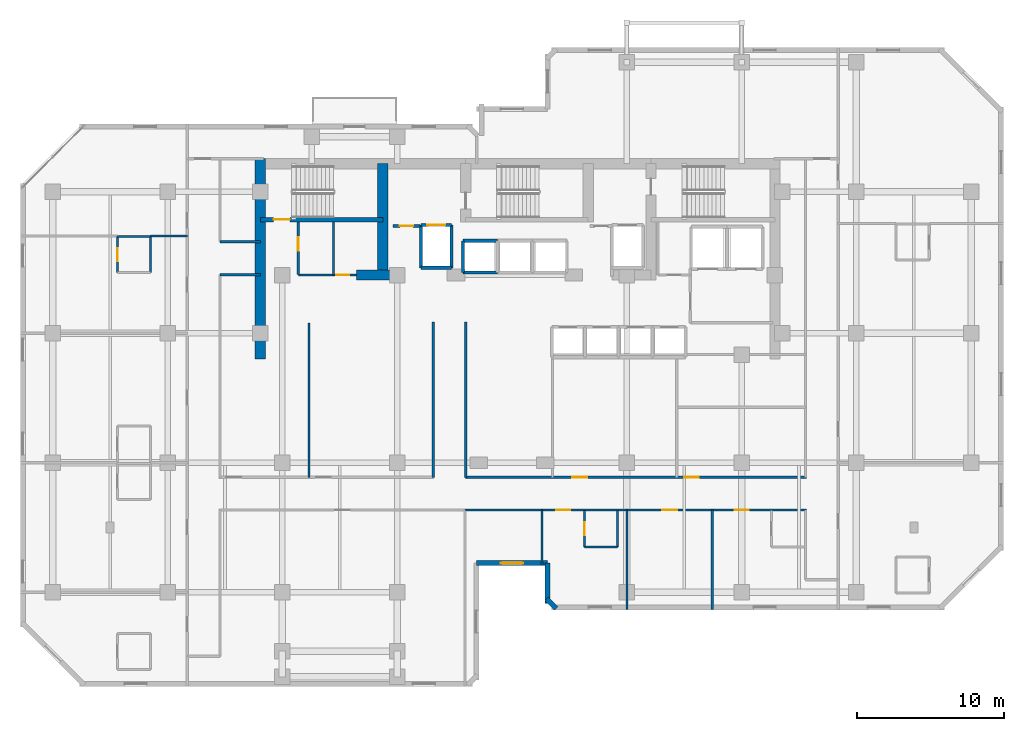
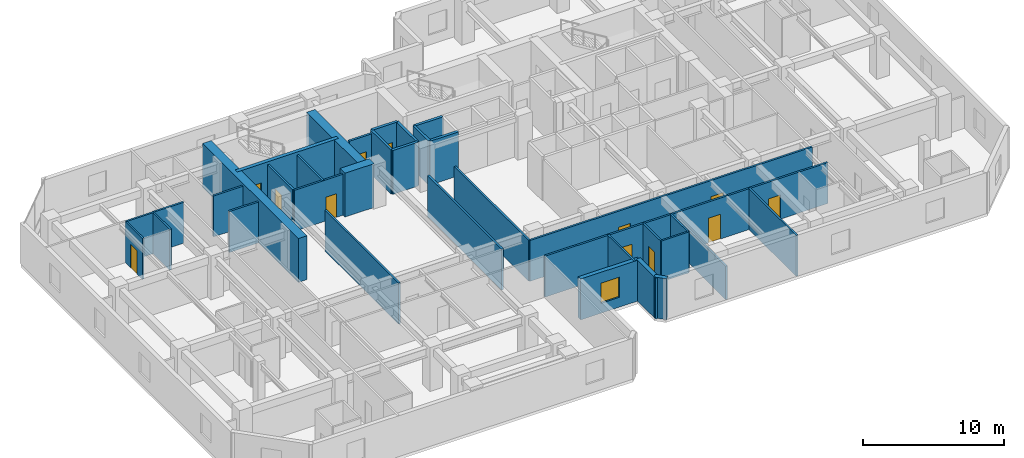
# One storey, part 5 of 9: 35 walls, 12 doors, 1 window, 13 openings.
"""IFC4 building model written with IfcOpenShell, lengths in metres."""

from ifc_helpers import new_model, si_unit, direction, frame, frame_2d, origin, place, context, subcontext, project, spatial, rectangle, extrude, material, layer, layer_set, type_object, element, fill, save


model = new_model("IFC4")

# Units and contexts
model_context = context("Model", 3, precision=1e-05, world=origin(), true_north=direction((0.0, 1.0)))
body_context = subcontext(model_context, "Body", "Model", "MODEL_VIEW")
ifc_project = project(units=[si_unit("LENGTHUNIT", "METRE"), si_unit("AREAUNIT", "SQUARE_METRE"), si_unit("VOLUMEUNIT", "CUBIC_METRE"), si_unit("PLANEANGLEUNIT", "RADIAN"), si_unit("MASSUNIT", "GRAM", prefix="KILO")], contexts=[model_context])

# Site, building, storey
site_placement = place(None, origin())
site = spatial("IfcSite", under=ifc_project, at=site_placement, CompositionType="ELEMENT")
building_placement = place(site_placement, origin())
building = spatial("IfcBuilding", under=site, at=building_placement, Name="Kestravale Grand Hotel", CompositionType="ELEMENT")
storey_placement = place(building_placement, frame((0.0, 0.0, 146.0)))
storey = spatial("IfcBuildingStorey", under=building, at=storey_placement, Name="L36", CompositionType="ELEMENT", Elevation=146.0)

# Walls
ifc_material_1 = material(Name="Concrete f'c 60 MPa", Category="concrete")
ifc_layer_1 = layer(ifc_material_1, 0.699951171875)
ifc_layer_set_1 = layer_set([ifc_layer_1], Name="EW-CORE-700")
wall_type_1 = type_object("IfcWallType", Name="EW-CORE-700", PredefinedType="SHEAR", material=ifc_layer_set_1)
wall_1_placement = place(storey_placement, frame((21.89990234375, 27.050048828125, 0.0), z_axis=(0.0, 0.0, 1.0), x_axis=(0.0, 1.0, 0.0)))
element("IfcWall", 1, at=wall_1_placement, inside=storey, type_object=wall_type_1, Name="L36 core shear wall W1", PredefinedType="SHEAR", context=body_context, shape_type="SweptSolid", body=[
    extrude(rectangle(XDim=13.619873046875, YDim=0.699951171875, at=frame_2d((6.81005859375, 0.0))), origin(), (0.0, 0.0, 1.0), 3.800048828125),
])
wall_2_placement = place(storey_placement, frame((28.449951171875, 32.75, 0.0), z_axis=(0.0, 0.0, 1.0), x_axis=(1.0, 0.0, 0.0)))
element("IfcWall", 2, at=wall_2_placement, inside=storey, type_object=wall_type_1, Name="L36 core shear wall S1", PredefinedType="SHEAR", context=body_context, shape_type="SweptSolid", body=[
    extrude(rectangle(XDim=2.400146484375, YDim=0.699951171875, at=frame_2d((1.2001953125, 0.0))), origin(), (0.0, 0.0, 1.0), 3.800048828125),
])
wall_3_placement = place(storey_placement, frame((30.219970703125, 33.10009765625, 0.0), z_axis=(0.0, 0.0, 1.0), x_axis=(0.0, 1.0, 0.0)))
element("IfcWall", 3, at=wall_3_placement, inside=storey, type_object=wall_type_1, Name="L36 core shear wall X1", PredefinedType="SHEAR", context=body_context, shape_type="SweptSolid", body=[
    extrude(rectangle(XDim=7.219970703125, YDim=0.699951171875, at=frame_2d((3.60986328125, 0.0))), origin(), (0.0, 0.0, 1.0), 3.800048828125),
])

# Wall, opening, window
ifc_material_2 = material(Name="Precast concrete f'c 45 MPa", Category="concrete")
ifc_layer_2 = layer(ifc_material_2, 0.340087890625)
ifc_layer_set_2 = layer_set([ifc_layer_2], Name="EW-PREC-340")
wall_type_2 = type_object("IfcWallType", Name="EW-PREC-340", PredefinedType="SOLIDWALL", material=ifc_layer_set_2)
wall_4_placement = place(storey_placement, frame((36.580078125, 13.169921875, 0.0), z_axis=(0.0, 0.0, 1.0), x_axis=(1.0, 0.0, 0.0)))
wall_4 = element("IfcWall", 4, at=wall_4_placement, inside=storey, type_object=wall_type_2, Name="L36 fluted precast facade wall 4", PredefinedType="SOLIDWALL", context=body_context, shape_type="SweptSolid", body=[
    extrude(rectangle(XDim=4.83984375, YDim=0.340087890625, at=frame_2d((2.419921875, 0.0))), origin(), (0.0, 0.0, 1.0), 3.550048828125),
])
opening_1_placement = place(wall_4_placement, frame((1.669921875, 0.0, 0.85009765625)))
opening_1 = element("IfcOpeningElement", 5, at=opening_1_placement, cuts=wall_4, Name="Opening W-GUEST-1500", PredefinedType="OPENING", context=body_context, shape_type="SweptSolid", body=[
    extrude(rectangle(XDim=1.5, YDim=1.75, at=frame_2d((0.75, 0.875))), frame((0.0, 0.179931640625, 0.0), z_axis=(0.0, -1.0, 0.0), x_axis=(1.0, 0.0, 0.0)), (0.0, 0.0, 1.0), 0.360107421875),
])
ifc_material_3 = material(Name="Insulated low-E double glazing in aluminium frame", Category="aluminium")
window_type = type_object("IfcWindowType", Name="W-GUEST-1500", PartitioningType="SINGLE_PANEL", PredefinedType="WINDOW", material=ifc_material_3)
window_placement = place(opening_1_placement, origin())
window = element("IfcWindow", 6, at=window_placement, inside=storey, type_object=window_type, Name="L36 exterior window 4.1", OverallHeight=1.75, OverallWidth=1.5, PartitioningType="SINGLE_PANEL", PredefinedType="WINDOW", context=body_context, shape_type="SweptSolid", body=[
    extrude(rectangle(XDim=1.5, YDim=1.75, at=frame_2d((0.75, 0.875))), frame((0.0, 0.030029296875, 0.0), z_axis=(0.0, -1.0, 0.0), x_axis=(1.0, 0.0, 0.0)), (0.0, 0.0, 1.0), 0.06005859375),
])
fill(opening_1, window)

# Walls
wall_5_placement = place(storey_placement, frame((41.419921875, 13.169921875, 0.0), z_axis=(0.0, 0.0, 1.0), x_axis=(0.0, -1.0, 0.0)))
element("IfcWall", 7, at=wall_5_placement, inside=storey, type_object=wall_type_2, Name="L36 fluted precast facade wall 5", PredefinedType="SOLIDWALL", context=body_context, shape_type="SweptSolid", body=[
    extrude(rectangle(XDim=2.739990234375, YDim=0.340087890625, at=frame_2d((1.3701171875, 0.0))), origin(), (0.0, 0.0, 1.0), 3.550048828125),
])
wall_6_placement = place(storey_placement, frame((41.341796875, 10.74853515625, 0.0), z_axis=(0.0, 0.0, 1.0), x_axis=(0.707106781187, -0.707106781187, 0.0)))
element("IfcWall", 8, at=wall_6_placement, inside=storey, type_object=wall_type_2, Name="L36 fluted precast facade wall 6", PredefinedType="SOLIDWALL", context=body_context, shape_type="SweptSolid", body=[
    extrude(rectangle(XDim=0.9287109375, YDim=0.340087890625, at=frame_2d((0.46435546875, 0.0))), origin(), (0.0, 0.0, 1.0), 3.550048828125),
])

# Wall, opening, door
ifc_material_4 = material(Name="Concrete f'c 45 MPa", Category="concrete")
ifc_layer_3 = layer(ifc_material_4, 0.300048828125)
ifc_layer_set_3 = layer_set([ifc_layer_3], Name="EW-STAIR-300")
wall_type_3 = type_object("IfcWallType", Name="EW-STAIR-300", PredefinedType="SHEAR", material=ifc_layer_set_3)
wall_7_placement = place(storey_placement, frame((21.89990234375, 36.52001953125, 0.0), z_axis=(0.0, 0.0, 1.0), x_axis=(1.0, 0.0, 0.0)))
wall_7 = element("IfcWall", 9, at=wall_7_placement, inside=storey, type_object=wall_type_3, Name="L36 stair enclosure shear wall SST1", PredefinedType="SHEAR", context=body_context, shape_type="SweptSolid", body=[
    extrude(rectangle(XDim=8.320068359375, YDim=0.300048828125, at=frame_2d((4.16015625, 0.0))), origin(), (0.0, 0.0, 1.0), 3.800048828125),
])
opening_2_placement = place(wall_7_placement, frame((0.89990234375, 0.0, 0.0)))
opening_2 = element("IfcOpeningElement", 10, at=opening_2_placement, cuts=wall_7, Name="Opening D-ST-1100", PredefinedType="OPENING", context=body_context, shape_type="SweptSolid", body=[
    extrude(rectangle(XDim=1.10009765625, YDim=2.14990234375, at=frame_2d((0.550048828125, 1.074951171875))), frame((0.0, 0.159912109375, 0.0), z_axis=(0.0, -1.0, 0.0), x_axis=(1.0, 0.0, 0.0)), (0.0, 0.0, 1.0), 0.320068359375),
])
ifc_material_5 = material(Name="Galvanised 90-minute fire-rated steel stair door", Category="steel")
door_type_1 = type_object("IfcDoorType", Name="D-ST-1100", OperationType="NOTDEFINED", PredefinedType="DOOR", material=ifc_material_5)
door_1_placement = place(opening_2_placement, origin())
door_1 = element("IfcDoor", 11, at=door_1_placement, inside=storey, type_object=door_type_1, Name="L36 Stair ST-1 fire door", OperationType="SINGLE_SWING_RIGHT", OverallHeight=2.14990234375, OverallWidth=1.10009765625, PredefinedType="DOOR", context=body_context, shape_type="SweptSolid", body=[
    extrude(rectangle(XDim=1.10009765625, YDim=2.14990234375, at=frame_2d((0.550048828125, 1.074951171875))), frame((0.0, 0.02490234375, 0.0), z_axis=(0.0, -1.0, 0.0), x_axis=(1.0, 0.0, 0.0)), (0.0, 0.0, 1.0), 0.050048828125),
])
fill(opening_2, door_1)

ifc_material_6 = material(Name="Acoustic fire-rated gypsum board partition", Category="other")
ifc_layer_4 = layer(ifc_material_6, 0.159912109375)
ifc_layer_set_4 = layer_set([ifc_layer_4], Name="IW-CORR-160")
wall_type_4 = type_object("IfcWallType", Name="IW-CORR-160", PredefinedType="PARTITIONING", material=ifc_layer_set_4)
wall_8_placement = place(storey_placement, frame((24.47998046875, 32.800048828125, 0.0), z_axis=(0.0, 0.0, 1.0), x_axis=(0.0, 1.0, 0.0)))
wall_8 = element("IfcWall", 12, at=wall_8_placement, inside=storey, type_object=wall_type_4, Name="L36 west core vestibule wall", PredefinedType="PARTITIONING", context=body_context, shape_type="SweptSolid", body=[
    extrude(rectangle(XDim=3.570068359375, YDim=0.159912109375, at=frame_2d((1.78515625, 0.0))), origin(), (0.0, 0.0, 1.0), 3.550048828125),
])
opening_3_placement = place(wall_8_placement, frame((1.603515625, 0.0, 0.0)))
opening_3 = element("IfcOpeningElement", 13, at=opening_3_placement, cuts=wall_8, Name="Opening D-SH-900", PredefinedType="OPENING", context=body_context, shape_type="SweptSolid", body=[
    extrude(rectangle(XDim=0.89990234375, YDim=2.10009765625, at=frame_2d((0.449951171875, 1.050048828125))), frame((0.0, 0.08984375, 0.0), z_axis=(0.0, -1.0, 0.0), x_axis=(1.0, 0.0, 0.0)), (0.0, 0.0, 1.0), 0.179931640625),
])
ifc_material_7 = material(Name="Galvanised 90-minute shaft and service fire door", Category="steel")
door_type_2 = type_object("IfcDoorType", Name="D-SH-900", OperationType="NOTDEFINED", PredefinedType="DOOR", material=ifc_material_7)
door_2_placement = place(opening_3_placement, origin())
door_2 = element("IfcDoor", 14, at=door_2_placement, inside=storey, type_object=door_type_2, Name="D-L36-HK", OperationType="SINGLE_SWING_RIGHT", OverallHeight=2.10009765625, OverallWidth=0.89990234375, PredefinedType="DOOR", context=body_context, shape_type="SweptSolid", body=[
    extrude(rectangle(XDim=0.89990234375, YDim=2.10009765625, at=frame_2d((0.449951171875, 1.050048828125))), frame((0.0, 0.02490234375, 0.0), z_axis=(0.0, -1.0, 0.0), x_axis=(1.0, 0.0, 0.0)), (0.0, 0.0, 1.0), 0.050048828125),
])
fill(opening_3, door_2)

wall_9_placement = place(storey_placement, frame((24.47998046875, 32.75, 0.0), z_axis=(0.0, 0.0, 1.0), x_axis=(1.0, 0.0, 0.0)))
wall_9 = element("IfcWall", 15, at=wall_9_placement, inside=storey, type_object=wall_type_4, Name="W-L36-CWS", PredefinedType="PARTITIONING", context=body_context, shape_type="SweptSolid", body=[
    extrude(rectangle(XDim=3.969970703125, YDim=0.159912109375, at=frame_2d((1.98486328125, 0.0))), origin(), (0.0, 0.0, 1.0), 3.550048828125),
])
opening_4_placement = place(wall_9_placement, frame((2.574951171875, 0.0, 0.0)))
opening_4 = element("IfcOpeningElement", 16, at=opening_4_placement, cuts=wall_9, Name="Opening D-BATH-880", PredefinedType="OPENING", context=body_context, shape_type="SweptSolid", body=[
    extrude(rectangle(XDim=0.8798828125, YDim=2.050048828125, at=frame_2d((0.43994140625, 1.02490234375))), frame((0.0, 0.08984375, 0.0), z_axis=(0.0, -1.0, 0.0), x_axis=(1.0, 0.0, 0.0)), (0.0, 0.0, 1.0), 0.179931640625),
])
ifc_material_8 = material(Name="Moisture-sealed walnut en-suite bathroom door", Category="wood")
door_type_3 = type_object("IfcDoorType", Name="D-BATH-880", OperationType="NOTDEFINED", PredefinedType="DOOR", material=ifc_material_8)
door_3_placement = place(opening_4_placement, origin())
door_3 = element("IfcDoor", 17, at=door_3_placement, inside=storey, type_object=door_type_3, Name="D-L36-SWC", OperationType="SINGLE_SWING_RIGHT", OverallHeight=2.050048828125, OverallWidth=0.8798828125, PredefinedType="DOOR", context=body_context, shape_type="SweptSolid", body=[
    extrude(rectangle(XDim=0.8798828125, YDim=2.050048828125, at=frame_2d((0.43994140625, 1.02490234375))), frame((0.0, 0.02490234375, 0.0), z_axis=(0.0, -1.0, 0.0), x_axis=(1.0, 0.0, 0.0)), (0.0, 0.0, 1.0), 0.050048828125),
])
fill(opening_4, door_3)

# Wall, openings, doors
wall_10_placement = place(storey_placement, frame((35.85009765625, 19.010009765625, 0.0), z_axis=(0.0, 0.0, 1.0), x_axis=(1.0, 0.0, 0.0)))
wall_10 = element("IfcWall", 18, at=wall_10_placement, inside=storey, type_object=wall_type_4, Name="W-L36-CE-N", PredefinedType="PARTITIONING", context=body_context, shape_type="SweptSolid", body=[
    extrude(rectangle(XDim=23.14990234375, YDim=0.159912109375, at=frame_2d((11.574951171875, 0.0))), origin(), (0.0, 0.0, 1.0), 3.550048828125),
])
opening_5_placement = place(wall_10_placement, frame((7.25, 0.0, 0.0)))
opening_5 = element("IfcOpeningElement", 19, at=opening_5_placement, cuts=wall_10, Name="Opening D-GUEST-1000", PredefinedType="OPENING", context=body_context, shape_type="SweptSolid", body=[
    extrude(rectangle(XDim=1.0, YDim=2.14990234375, at=frame_2d((0.5, 1.074951171875))), frame((0.0, 0.08984375, 0.0), z_axis=(0.0, -1.0, 0.0), x_axis=(1.0, 0.0, 0.0)), (0.0, 0.0, 1.0), 0.179931640625),
])
opening_6_placement = place(wall_10_placement, frame((14.85009765625, 0.0, 0.0)))
opening_6 = element("IfcOpeningElement", 20, at=opening_6_placement, cuts=wall_10, Name="Opening D-GUEST-1000", PredefinedType="OPENING", context=body_context, shape_type="SweptSolid", body=[
    extrude(rectangle(XDim=1.0, YDim=2.14990234375, at=frame_2d((0.5, 1.074951171875))), frame((0.0, 0.08984375, 0.0), z_axis=(0.0, -1.0, 0.0), x_axis=(1.0, 0.0, 0.0)), (0.0, 0.0, 1.0), 0.179931640625),
])
ifc_material_9 = material(Name="Accessible walnut veneer hotel entrance fire door", Category="wood")
door_type_4 = type_object("IfcDoorType", Name="D-GUEST-1000", OperationType="NOTDEFINED", PredefinedType="DOOR", material=ifc_material_9)
door_4_placement = place(opening_5_placement, origin())
door_4 = element("IfcDoor", 21, at=door_4_placement, inside=storey, type_object=door_type_4, Name="D-L36-RECL-E1", OperationType="SINGLE_SWING_LEFT", OverallHeight=2.14990234375, OverallWidth=1.0, PredefinedType="DOOR", context=body_context, shape_type="SweptSolid", body=[
    extrude(rectangle(XDim=1.0, YDim=2.14990234375, at=frame_2d((0.5, 1.074951171875))), frame((0.0, 0.02490234375, 0.0), z_axis=(0.0, -1.0, 0.0), x_axis=(1.0, 0.0, 0.0)), (0.0, 0.0, 1.0), 0.050048828125),
])
fill(opening_5, door_4)
door_5_placement = place(opening_6_placement, origin())
door_5 = element("IfcDoor", 22, at=door_5_placement, inside=storey, type_object=door_type_4, Name="D-L36-RECL-E2", OperationType="SINGLE_SWING_RIGHT", OverallHeight=2.14990234375, OverallWidth=1.0, PredefinedType="DOOR", context=body_context, shape_type="SweptSolid", body=[
    extrude(rectangle(XDim=1.0, YDim=2.14990234375, at=frame_2d((0.5, 1.074951171875))), frame((0.0, 0.02490234375, 0.0), z_axis=(0.0, -1.0, 0.0), x_axis=(1.0, 0.0, 0.0)), (0.0, 0.0, 1.0), 0.050048828125),
])
fill(opening_6, door_5)

# Walls
for number, where, z_axis, x_axis, name in (
    (23, (33.64990234375, 19.010009765625, 0.0), (0.0, 0.0, 1.0), (0.0, 1.0, 0.0), "W-L36-TRUNK-W"),
    (24, (35.85009765625, 19.010009765625, 0.0), (0.0, 0.0, 1.0), (0.0, 1.0, 0.0), "W-L36-TRUNK-E"),
):
    element("IfcWall", number, at=place(storey_placement, frame(where, z_axis=z_axis, x_axis=x_axis)), inside=storey, type_object=wall_type_4, Name=name, PredefinedType="PARTITIONING", context=body_context, shape_type="SweptSolid", body=[
        extrude(rectangle(XDim=10.5400390625, YDim=0.159912109375, at=frame_2d((5.27001953125, 0.0))), origin(), (0.0, 0.0, 1.0), 3.550048828125),
    ])

# Wall, openings, doors
wall_11_placement = place(storey_placement, frame((35.800048828125, 16.7900390625, 0.0), z_axis=(0.0, 0.0, 1.0), x_axis=(1.0, 0.0, 0.0)))
wall_11 = element("IfcWall", 25, at=wall_11_placement, inside=storey, type_object=wall_type_4, Name="W-L36-CE-S", PredefinedType="PARTITIONING", context=body_context, shape_type="SweptSolid", body=[
    extrude(rectangle(XDim=23.199951171875, YDim=0.159912109375, at=frame_2d((11.60009765625, 0.0))), origin(), (0.0, 0.0, 1.0), 3.550048828125),
])
opening_7_placement = place(wall_11_placement, frame((6.202392578125, 0.0, 0.0)))
opening_7 = element("IfcOpeningElement", 26, at=opening_7_placement, cuts=wall_11, Name="Opening D-GUEST-950", PredefinedType="OPENING", context=body_context, shape_type="SweptSolid", body=[
    extrude(rectangle(XDim=0.949951171875, YDim=2.10009765625, at=frame_2d((0.47509765625, 1.050048828125))), frame((0.0, 0.08984375, 0.0), z_axis=(0.0, -1.0, 0.0), x_axis=(1.0, 0.0, 0.0)), (0.0, 0.0, 1.0), 0.179931640625),
])
opening_8_placement = place(wall_11_placement, frame((13.41259765625, 0.0, 0.0)))
opening_8 = element("IfcOpeningElement", 27, at=opening_8_placement, cuts=wall_11, Name="Opening D-GUEST-1000", PredefinedType="OPENING", context=body_context, shape_type="SweptSolid", body=[
    extrude(rectangle(XDim=1.0, YDim=2.14990234375, at=frame_2d((0.5, 1.074951171875))), frame((0.0, 0.08984375, 0.0), z_axis=(0.0, -1.0, 0.0), x_axis=(1.0, 0.0, 0.0)), (0.0, 0.0, 1.0), 0.179931640625),
])
opening_9_placement = place(wall_11_placement, frame((18.342529296875, 0.0, 0.0)))
opening_9 = element("IfcOpeningElement", 28, at=opening_9_placement, cuts=wall_11, Name="Opening D-GUEST-950", PredefinedType="OPENING", context=body_context, shape_type="SweptSolid", body=[
    extrude(rectangle(XDim=0.949951171875, YDim=2.10009765625, at=frame_2d((0.47509765625, 1.050048828125))), frame((0.0, 0.08984375, 0.0), z_axis=(0.0, -1.0, 0.0), x_axis=(1.0, 0.0, 0.0)), (0.0, 0.0, 1.0), 0.179931640625),
])
door_6_placement = place(opening_8_placement, origin())
door_6 = element("IfcDoor", 29, at=door_6_placement, inside=storey, type_object=door_type_4, Name="D-L36-AME", OperationType="SINGLE_SWING_RIGHT", OverallHeight=2.14990234375, OverallWidth=1.0, PredefinedType="DOOR", context=body_context, shape_type="SweptSolid", body=[
    extrude(rectangle(XDim=1.0, YDim=2.14990234375, at=frame_2d((0.5, 1.074951171875))), frame((0.0, 0.02490234375, 0.0), z_axis=(0.0, -1.0, 0.0), x_axis=(1.0, 0.0, 0.0)), (0.0, 0.0, 1.0), 0.050048828125),
])
fill(opening_8, door_6)
ifc_material_10 = material(Name="Walnut veneer hotel guestroom entrance fire door", Category="wood")
door_type_5 = type_object("IfcDoorType", Name="D-GUEST-950", OperationType="NOTDEFINED", PredefinedType="DOOR", material=ifc_material_10)
door_7_placement = place(opening_7_placement, origin())
door_7 = element("IfcDoor", 30, at=door_7_placement, inside=storey, type_object=door_type_5, Name="D-L36-U01-ENT", OperationType="SINGLE_SWING_LEFT", OverallHeight=2.10009765625, OverallWidth=0.949951171875, PredefinedType="DOOR", context=body_context, shape_type="SweptSolid", body=[
    extrude(rectangle(XDim=0.949951171875, YDim=2.10009765625, at=frame_2d((0.47509765625, 1.050048828125))), frame((0.0, 0.02490234375, 0.0), z_axis=(0.0, -1.0, 0.0), x_axis=(1.0, 0.0, 0.0)), (0.0, 0.0, 1.0), 0.050048828125),
])
fill(opening_7, door_7)
door_8_placement = place(opening_9_placement, origin())
door_8 = element("IfcDoor", 31, at=door_8_placement, inside=storey, type_object=door_type_5, Name="D-L36-U02-ENT", OperationType="SINGLE_SWING_RIGHT", OverallHeight=2.10009765625, OverallWidth=0.949951171875, PredefinedType="DOOR", context=body_context, shape_type="SweptSolid", body=[
    extrude(rectangle(XDim=0.949951171875, YDim=2.10009765625, at=frame_2d((0.47509765625, 1.050048828125))), frame((0.0, 0.02490234375, 0.0), z_axis=(0.0, -1.0, 0.0), x_axis=(1.0, 0.0, 0.0)), (0.0, 0.0, 1.0), 0.050048828125),
])
fill(opening_9, door_8)

# Walls
for number, where, z_axis, x_axis, name in (
    (32, (19.159912109375, 35.02001953125, 0.0), (0.0, 0.0, 1.0), (1.0, 0.0, 0.0), "W-L36-SW-CN"),
    (33, (19.159912109375, 32.780029296875, 0.0), (0.0, 0.0, 1.0), (1.0, 0.0, 0.0), "W-L36-SW-CS"),
):
    element("IfcWall", number, at=place(storey_placement, frame(where, z_axis=z_axis, x_axis=x_axis)), inside=storey, type_object=wall_type_4, Name=name, PredefinedType="PARTITIONING", context=body_context, shape_type="SweptSolid", body=[
        extrude(rectangle(XDim=2.739990234375, YDim=0.159912109375, at=frame_2d((1.3701171875, 0.0))), origin(), (0.0, 0.0, 1.0), 3.550048828125),
    ])

# Wall, opening, door
ifc_material_11 = material(Name="Fire-rated gypsum board on steel studs with mineral wool", Category="steel")
ifc_layer_5 = layer(ifc_material_11, 0.179931640625)
ifc_layer_set_5 = layer_set([ifc_layer_5], Name="IW-FSAE-180")
wall_type_5 = type_object("IfcWallType", Name="IW-FSAE-180", PredefinedType="PARTITIONING", material=ifc_layer_set_5)
wall_12_placement = place(storey_placement, frame((30.89990234375, 36.080078125, 0.0), z_axis=(0.0, 0.0, 1.0), x_axis=(1.0, 0.0, 0.0)))
wall_12 = element("IfcWall", 34, at=wall_12_placement, inside=storey, type_object=wall_type_5, Name="L36 FSAE Lobby 1 smoke barrier", PredefinedType="PARTITIONING", context=body_context, shape_type="SweptSolid", body=[
    extrude(rectangle(XDim=1.85009765625, YDim=0.179931640625, at=frame_2d((0.925048828125, 0.0))), origin(), (0.0, 0.0, 1.0), 3.550048828125),
])
opening_10_placement = place(wall_12_placement, frame((0.47998046875, 0.0, 0.0)))
opening_10 = element("IfcOpeningElement", 35, at=opening_10_placement, cuts=wall_12, Name="Opening D-FSAE-1000", PredefinedType="OPENING", context=body_context, shape_type="SweptSolid", body=[
    extrude(rectangle(XDim=0.89990234375, YDim=2.14990234375, at=frame_2d((0.449951171875, 1.074951171875))), frame((0.0, 0.099853515625, 0.0), z_axis=(0.0, -1.0, 0.0), x_axis=(1.0, 0.0, 0.0)), (0.0, 0.0, 1.0), 0.199951171875),
])
ifc_material_12 = material(Name="Smoke-gasketed FSAE lobby fire door", Category="steel")
door_type_6 = type_object("IfcDoorType", Name="D-FSAE-1000", OperationType="NOTDEFINED", PredefinedType="DOOR", material=ifc_material_12)
door_9_placement = place(opening_10_placement, origin())
door_9 = element("IfcDoor", 36, at=door_9_placement, inside=storey, type_object=door_type_6, Name="L36 FSAE Lobby 1 fire door", OperationType="SINGLE_SWING_RIGHT", OverallHeight=2.14990234375, OverallWidth=0.89990234375, PredefinedType="DOOR", context=body_context, shape_type="SweptSolid", body=[
    extrude(rectangle(XDim=0.89990234375, YDim=2.14990234375, at=frame_2d((0.449951171875, 1.074951171875))), frame((0.0, 0.02490234375, 0.0), z_axis=(0.0, -1.0, 0.0), x_axis=(1.0, 0.0, 0.0)), (0.0, 0.0, 1.0), 0.050048828125),
])
fill(opening_10, door_9)

ifc_material_13 = material(Name="Moisture-resistant tile-backer plumbing chase wall", Category="other")
ifc_layer_6 = layer(ifc_material_13, 0.139892578125)
ifc_layer_set_6 = layer_set([ifc_layer_6], Name="IW-PLB-140")
wall_type_6 = type_object("IfcWallType", Name="IW-PLB-140", PredefinedType="PLUMBINGWALL", material=ifc_layer_set_6)
wall_13_placement = place(storey_placement, frame((43.919921875, 14.280029296875, 0.0), z_axis=(0.0, 0.0, 1.0), x_axis=(0.0, 1.0, 0.0)))
wall_13 = element("IfcWall", 37, at=wall_13_placement, inside=storey, type_object=wall_type_6, Name="W-L36-U01-BW", PredefinedType="PLUMBINGWALL", context=body_context, shape_type="SweptSolid", body=[
    extrude(rectangle(XDim=2.489990234375, YDim=0.139892578125, at=frame_2d((1.2451171875, 0.0))), origin(), (0.0, 0.0, 1.0), 3.550048828125),
])
opening_11_placement = place(wall_13_placement, frame((0.804931640625, 0.0, 0.0)))
opening_11 = element("IfcOpeningElement", 38, at=opening_11_placement, cuts=wall_13, Name="Opening D-BATH-880", PredefinedType="OPENING", context=body_context, shape_type="SweptSolid", body=[
    extrude(rectangle(XDim=0.8798828125, YDim=2.050048828125, at=frame_2d((0.43994140625, 1.02490234375))), frame((0.0, 0.079833984375, 0.0), z_axis=(0.0, -1.0, 0.0), x_axis=(1.0, 0.0, 0.0)), (0.0, 0.0, 1.0), 0.159912109375),
])
door_10_placement = place(opening_11_placement, origin())
door_10 = element("IfcDoor", 39, at=door_10_placement, inside=storey, type_object=door_type_3, Name="D-L36-U01-BATH", OperationType="SINGLE_SWING_RIGHT", OverallHeight=2.050048828125, OverallWidth=0.8798828125, PredefinedType="DOOR", context=body_context, shape_type="SweptSolid", body=[
    extrude(rectangle(XDim=0.8798828125, YDim=2.050048828125, at=frame_2d((0.43994140625, 1.02490234375))), frame((0.0, 0.02490234375, 0.0), z_axis=(0.0, -1.0, 0.0), x_axis=(1.0, 0.0, 0.0)), (0.0, 0.0, 1.0), 0.050048828125),
])
fill(opening_11, door_10)

# Walls
wall_14_placement = place(storey_placement, frame((46.169921875, 14.280029296875, 0.0), z_axis=(0.0, 0.0, 1.0), x_axis=(0.0, 1.0, 0.0)))
element("IfcWall", 40, at=wall_14_placement, inside=storey, type_object=wall_type_6, Name="W-L36-U01-BE", PredefinedType="PLUMBINGWALL", context=body_context, shape_type="SweptSolid", body=[
    extrude(rectangle(XDim=2.489990234375, YDim=0.139892578125, at=frame_2d((1.2451171875, 0.0))), origin(), (0.0, 0.0, 1.0), 3.550048828125),
])
wall_15_placement = place(storey_placement, frame((43.919921875, 14.280029296875, 0.0), z_axis=(0.0, 0.0, 1.0), x_axis=(1.0, 0.0, 0.0)))
element("IfcWall", 41, at=wall_15_placement, inside=storey, type_object=wall_type_6, Name="W-L36-U01-BS", PredefinedType="PLUMBINGWALL", context=body_context, shape_type="SweptSolid", body=[
    extrude(rectangle(XDim=2.25, YDim=0.139892578125, at=frame_2d((1.125, 0.0))), origin(), (0.0, 0.0, 1.0), 3.550048828125),
])

# Wall, opening, door
wall_16_placement = place(storey_placement, frame((12.199951171875, 32.909912109375, 0.0), z_axis=(0.0, 0.0, 1.0), x_axis=(0.0, 1.0, 0.0)))
wall_16 = element("IfcWall", 42, at=wall_16_placement, inside=storey, type_object=wall_type_6, Name="W-L36-U06-BW", PredefinedType="PLUMBINGWALL", context=body_context, shape_type="SweptSolid", body=[
    extrude(rectangle(XDim=2.4501953125, YDim=0.139892578125, at=frame_2d((1.22509765625, 0.0))), origin(), (0.0, 0.0, 1.0), 3.550048828125),
])
opening_12_placement = place(wall_16_placement, frame((0.784912109375, 0.0, 0.0)))
opening_12 = element("IfcOpeningElement", 43, at=opening_12_placement, cuts=wall_16, Name="Opening D-BATH-880", PredefinedType="OPENING", context=body_context, shape_type="SweptSolid", body=[
    extrude(rectangle(XDim=0.8798828125, YDim=2.050048828125, at=frame_2d((0.43994140625, 1.02490234375))), frame((0.0, 0.079833984375, 0.0), z_axis=(0.0, -1.0, 0.0), x_axis=(1.0, 0.0, 0.0)), (0.0, 0.0, 1.0), 0.159912109375),
])
door_11_placement = place(opening_12_placement, origin())
door_11 = element("IfcDoor", 44, at=door_11_placement, inside=storey, type_object=door_type_3, Name="D-L36-U06-BATH", OperationType="SINGLE_SWING_LEFT", OverallHeight=2.050048828125, OverallWidth=0.8798828125, PredefinedType="DOOR", context=body_context, shape_type="SweptSolid", body=[
    extrude(rectangle(XDim=0.8798828125, YDim=2.050048828125, at=frame_2d((0.43994140625, 1.02490234375))), frame((0.0, 0.02490234375, 0.0), z_axis=(0.0, -1.0, 0.0), x_axis=(1.0, 0.0, 0.0)), (0.0, 0.0, 1.0), 0.050048828125),
])
fill(opening_12, door_11)

# Walls
wall_17_placement = place(storey_placement, frame((14.449951171875, 32.909912109375, 0.0), z_axis=(0.0, 0.0, 1.0), x_axis=(0.0, 1.0, 0.0)))
element("IfcWall", 45, at=wall_17_placement, inside=storey, type_object=wall_type_6, Name="W-L36-U06-BE", PredefinedType="PLUMBINGWALL", context=body_context, shape_type="SweptSolid", body=[
    extrude(rectangle(XDim=2.4501953125, YDim=0.139892578125, at=frame_2d((1.22509765625, 0.0))), origin(), (0.0, 0.0, 1.0), 3.550048828125),
])
wall_18_placement = place(storey_placement, frame((12.199951171875, 35.360107421875, 0.0), z_axis=(0.0, 0.0, 1.0), x_axis=(1.0, 0.0, 0.0)))
element("IfcWall", 46, at=wall_18_placement, inside=storey, type_object=wall_type_6, Name="W-L36-U06-BN", PredefinedType="PLUMBINGWALL", context=body_context, shape_type="SweptSolid", body=[
    extrude(rectangle(XDim=2.25, YDim=0.139892578125, at=frame_2d((1.125, 0.0))), origin(), (0.0, 0.0, 1.0), 3.550048828125),
])
ifc_material_14 = material(Name="Concrete f'c 45 MPa", Category="concrete")
ifc_layer_7 = layer(ifc_material_14, 0.199951171875)
ifc_layer_set_7 = layer_set([ifc_layer_7], Name="IW-SHAFT-200")
wall_type_7 = type_object("IfcWallType", Name="IW-SHAFT-200", PredefinedType="SHEAR", material=ifc_layer_set_7)
wall_19_placement = place(storey_placement, frame((35.679931640625, 32.919921875, 0.0), z_axis=(0.0, 0.0, 1.0), x_axis=(0.0, 1.0, 0.0)))
element("IfcWall", 47, at=wall_19_placement, inside=storey, type_object=wall_type_7, Name="L36 PL-X1 west shaft wall", PredefinedType="SHEAR", context=body_context, shape_type="SweptSolid", body=[
    extrude(rectangle(XDim=2.16015625, YDim=0.199951171875, at=frame_2d((1.080078125, 0.0))), origin(), (0.0, 0.0, 1.0), 3.800048828125),
])
for number, where, z_axis, x_axis, name in (
    (48, (32.804931640625, 33.2451171875, 0.0), (0.0, 0.0, 1.0), (0.0, 1.0, 0.0), "L36 FL-1 west shaft wall"),
    (49, (34.89501953125, 33.2451171875, 0.0), (0.0, 0.0, 1.0), (0.0, 1.0, 0.0), "L36 FL-1 east shaft wall"),
):
    element("IfcWall", number, at=place(storey_placement, frame(where, z_axis=z_axis, x_axis=x_axis)), inside=storey, type_object=wall_type_7, Name=name, PredefinedType="SHEAR", context=body_context, shape_type="SweptSolid", body=[
        extrude(rectangle(XDim=2.909912109375, YDim=0.199951171875, at=frame_2d((1.455078125, 0.0))), origin(), (0.0, 0.0, 1.0), 3.800048828125),
    ])
ifc_material_15 = material(Name="Concrete f'c 45 MPa", Category="concrete")
ifc_layer_8 = layer(ifc_material_15, 0.219970703125)
ifc_layer_set_8 = layer_set([ifc_layer_8], Name="IW-SHAFT-220")
wall_type_8 = type_object("IfcWallType", Name="IW-SHAFT-220", PredefinedType="SHEAR", material=ifc_layer_set_8)
for number, where, z_axis, x_axis, name in (
    (50, (35.679931640625, 35.080078125, 0.0), (0.0, 0.0, 1.0), (1.0, 0.0, 0.0), "L36 PL-X1 north shaft wall"),
    (51, (35.679931640625, 32.919921875, 0.0), (0.0, 0.0, 1.0), (1.0, 0.0, 0.0), "L36 PL-X1 south shaft wall"),
):
    element("IfcWall", number, at=place(storey_placement, frame(where, z_axis=z_axis, x_axis=x_axis)), inside=storey, type_object=wall_type_8, Name=name, PredefinedType="SHEAR", context=body_context, shape_type="SweptSolid", body=[
        extrude(rectangle(XDim=2.320068359375, YDim=0.219970703125, at=frame_2d((1.16015625, 0.0))), origin(), (0.0, 0.0, 1.0), 3.800048828125),
    ])

# Wall, opening, door
wall_20_placement = place(storey_placement, frame((32.804931640625, 36.155029296875, 0.0), z_axis=(0.0, 0.0, 1.0), x_axis=(1.0, 0.0, 0.0)))
wall_20 = element("IfcWall", 52, at=wall_20_placement, inside=storey, type_object=wall_type_8, Name="L36 FL-1 north shaft wall", PredefinedType="SHEAR", context=body_context, shape_type="SweptSolid", body=[
    extrude(rectangle(XDim=2.090087890625, YDim=0.219970703125, at=frame_2d((1.044921875, 0.0))), origin(), (0.0, 0.0, 1.0), 3.800048828125),
])
opening_13_placement = place(wall_20_placement, frame((0.445068359375, 0.0, 0.0)))
opening_13 = element("IfcOpeningElement", 53, at=opening_13_placement, cuts=wall_20, Name="Opening LD-FSAE-1200", PredefinedType="OPENING", context=body_context, shape_type="SweptSolid", body=[
    extrude(rectangle(XDim=1.199951171875, YDim=2.14990234375, at=frame_2d((0.60009765625, 1.074951171875))), frame((0.0, 0.119873046875, 0.0), z_axis=(0.0, -1.0, 0.0), x_axis=(1.0, 0.0, 0.0)), (0.0, 0.0, 1.0), 0.239990234375),
])
ifc_material_16 = material(Name="Stainless fire-service sliding elevator landing door", Category="steel")
door_type_7 = type_object("IfcDoorType", Name="LD-FSAE-1200", OperationType="NOTDEFINED", PredefinedType="DOOR", material=ifc_material_16)
door_12_placement = place(opening_13_placement, origin())
door_12 = element("IfcDoor", 54, at=door_12_placement, inside=storey, type_object=door_type_7, Name="L36 FL-1 elevator landing sliding door", OperationType="DOUBLE_DOOR_SLIDING", OverallHeight=2.14990234375, OverallWidth=1.199951171875, PredefinedType="DOOR", context=body_context, shape_type="SweptSolid", body=[
    extrude(rectangle(XDim=1.199951171875, YDim=2.14990234375, at=frame_2d((0.60009765625, 1.074951171875))), frame((0.0, 0.02490234375, 0.0), z_axis=(0.0, -1.0, 0.0), x_axis=(1.0, 0.0, 0.0)), (0.0, 0.0, 1.0), 0.050048828125),
])
fill(opening_13, door_12)

# Walls
wall_21_placement = place(storey_placement, frame((32.804931640625, 33.2451171875, 0.0), z_axis=(0.0, 0.0, 1.0), x_axis=(1.0, 0.0, 0.0)))
element("IfcWall", 55, at=wall_21_placement, inside=storey, type_object=wall_type_8, Name="L36 FL-1 south shaft wall", PredefinedType="SHEAR", context=body_context, shape_type="SweptSolid", body=[
    extrude(rectangle(XDim=2.090087890625, YDim=0.219970703125, at=frame_2d((1.044921875, 0.0))), origin(), (0.0, 0.0, 1.0), 3.800048828125),
])
ifc_material_17 = material(Name="Double-stud STC 52 acoustic demising partition", Category="other")
ifc_layer_9 = layer(ifc_material_17, 0.14990234375)
ifc_layer_set_9 = layer_set([ifc_layer_9], Name="IW-UNIT-150")
wall_type_9 = type_object("IfcWallType", Name="IW-UNIT-150", PredefinedType="PARTITIONING", material=ifc_layer_set_9)
wall_22_placement = place(storey_placement, frame((26.8798828125, 32.75, 0.0), z_axis=(0.0, 0.0, 1.0), x_axis=(0.0, 1.0, 0.0)))
element("IfcWall", 56, at=wall_22_placement, inside=storey, type_object=wall_type_9, Name="W-L36-CC3-V", PredefinedType="PARTITIONING", context=body_context, shape_type="SweptSolid", body=[
    extrude(rectangle(XDim=3.6201171875, YDim=0.14990234375, at=frame_2d((1.81005859375, 0.0))), origin(), (0.0, 0.0, 1.0), 3.550048828125),
])
wall_23_placement = place(storey_placement, frame((25.199951171875, 19.010009765625, 0.0), z_axis=(0.0, 0.0, 1.0), x_axis=(0.0, 1.0, 0.0)))
element("IfcWall", 57, at=wall_23_placement, inside=storey, type_object=wall_type_9, Name="W-L36-RCLW-M", PredefinedType="PARTITIONING", context=body_context, shape_type="SweptSolid", body=[
    extrude(rectangle(XDim=10.489990234375, YDim=0.14990234375, at=frame_2d((5.2451171875, 0.0))), origin(), (0.0, 0.0, 1.0), 3.550048828125),
])
wall_24_placement = place(storey_placement, frame((41.034912109375, 13.02001953125, 0.0), z_axis=(0.0, 0.0, 1.0), x_axis=(0.0, 1.0, 0.0)))
element("IfcWall", 58, at=wall_24_placement, inside=storey, type_object=wall_type_9, Name="W-L36-ES-1", PredefinedType="PARTITIONING", context=body_context, shape_type="SweptSolid", body=[
    extrude(rectangle(XDim=3.77001953125, YDim=0.14990234375, at=frame_2d((1.885009765625, 0.0))), origin(), (0.0, 0.0, 1.0), 3.550048828125),
])
wall_25_placement = place(storey_placement, frame((46.820068359375, 10.02001953125, 0.0), z_axis=(0.0, 0.0, 1.0), x_axis=(0.0, 1.0, 0.0)))
element("IfcWall", 59, at=wall_25_placement, inside=storey, type_object=wall_type_9, Name="W-L36-ES-2", PredefinedType="PARTITIONING", context=body_context, shape_type="SweptSolid", body=[
    extrude(rectangle(XDim=6.77001953125, YDim=0.14990234375, at=frame_2d((3.385009765625, 0.0))), origin(), (0.0, 0.0, 1.0), 2.89990234375),
])
wall_26_placement = place(storey_placement, frame((52.60498046875, 10.02001953125, 0.0), z_axis=(0.0, 0.0, 1.0), x_axis=(0.0, 1.0, 0.0)))
element("IfcWall", 60, at=wall_26_placement, inside=storey, type_object=wall_type_9, Name="W-L36-ES-3", PredefinedType="PARTITIONING", context=body_context, shape_type="SweptSolid", body=[
    extrude(rectangle(XDim=6.77001953125, YDim=0.14990234375, at=frame_2d((3.385009765625, 0.0))), origin(), (0.0, 0.0, 1.0), 3.550048828125),
])
wall_27_placement = place(storey_placement, frame((14.449951171875, 35.39990234375, 0.0), z_axis=(0.0, 0.0, 1.0), x_axis=(1.0, 0.0, 0.0)))
element("IfcWall", 61, at=wall_27_placement, inside=storey, type_object=wall_type_9, Name="W-L36-WW-4", PredefinedType="PARTITIONING", context=body_context, shape_type="SweptSolid", body=[
    extrude(rectangle(XDim=2.489990234375, YDim=0.14990234375, at=frame_2d((1.2451171875, 0.0))), origin(), (0.0, 0.0, 1.0), 3.550048828125),
])

save(model, "model.ifc")
